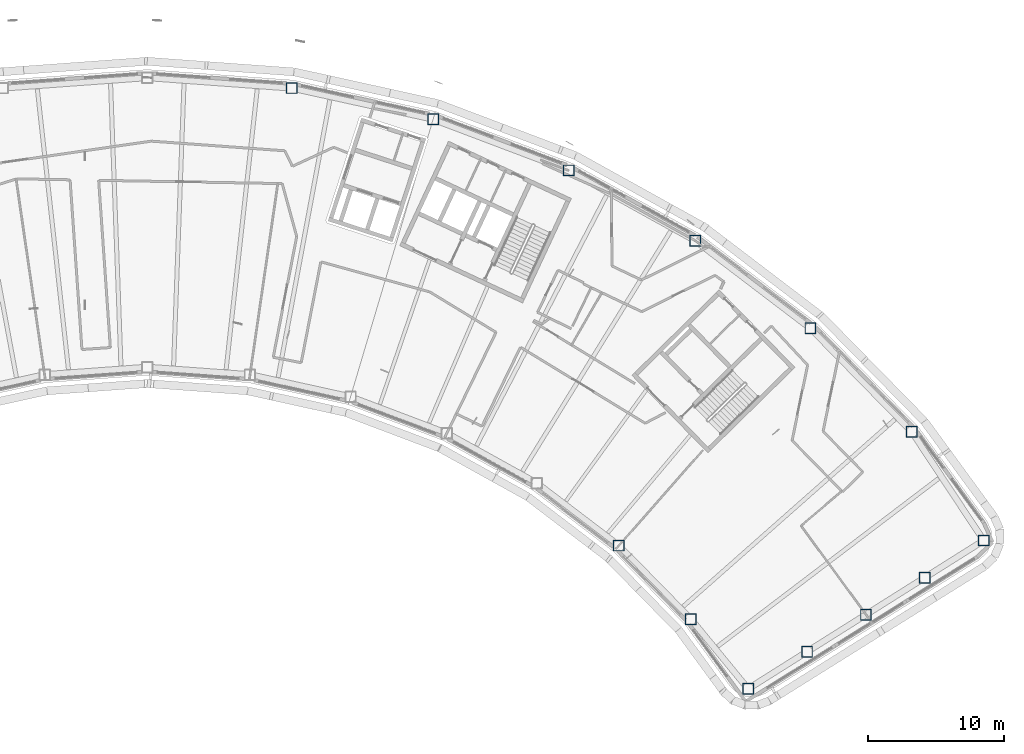
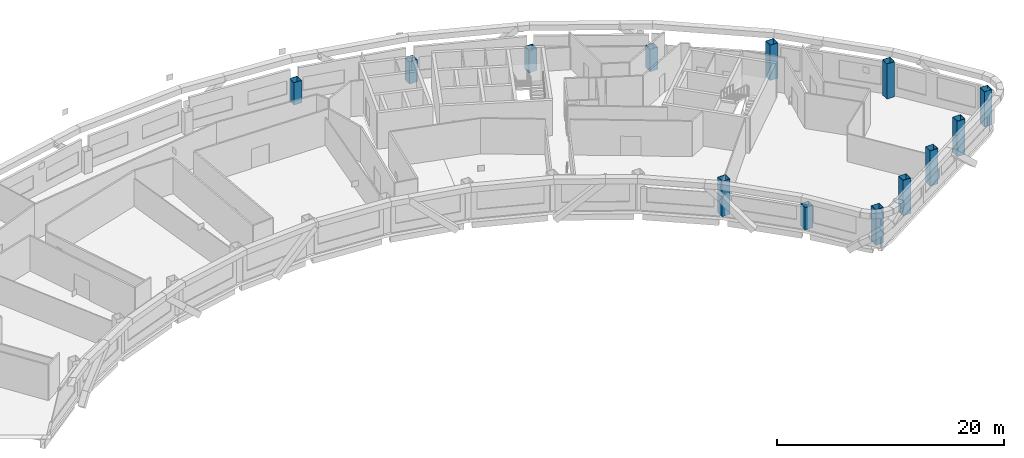
# One storey, part 2 of 21: 13 columns.
"""IFC4 building model written with IfcOpenShell, lengths in metres."""

from ifc_helpers import new_model, si_unit, direction, frame, origin, origin_2d, place, context, subcontext, project, spatial, hollow_rectangle, extrude, material, material_profile, profile_set, type_object, element, save


model = new_model("IFC4")

# Units and contexts
model_context = context("Model", 3, precision=1e-05, world=origin(), true_north=direction((0.0, 1.0)))
body_context = subcontext(model_context, "Body", "Model", "MODEL_VIEW")
ifc_project = project(units=[si_unit("LENGTHUNIT", "METRE"), si_unit("AREAUNIT", "SQUARE_METRE"), si_unit("VOLUMEUNIT", "CUBIC_METRE"), si_unit("PLANEANGLEUNIT", "RADIAN"), si_unit("MASSUNIT", "GRAM", prefix="KILO")], contexts=[model_context])

# Site, building, storey
site_placement = place(None, origin())
site = spatial("IfcSite", under=ifc_project, at=site_placement, CompositionType="ELEMENT")
building_placement = place(site_placement, origin())
building = spatial("IfcBuilding", under=site, at=building_placement, Name="Tuul Gate Civic Tower", CompositionType="ELEMENT")
storey_placement = place(building_placement, frame((0.0, 0.0, 311.0)))
storey = spatial("IfcBuildingStorey", under=building, at=storey_placement, Name="Level 70", CompositionType="ELEMENT", Elevation=311.0)

# Columns
ifc_material = material(Name="Steel S355", Category="steel")
ifc_material_profile = material_profile(ifc_material, hollow_rectangle(XDim=0.800048828125, YDim=0.800048828125, WallThickness=0.031982421875, at=origin_2d()), Name="BOX800x800x32")
ifc_profile_set = profile_set([ifc_material_profile], Name="Steel S355")
column_type = type_object("IfcColumnType", Name="STR-COLUMN-BOX800x800x32", PredefinedType="COLUMN", material=ifc_profile_set)
for number, where, z_axis, x_axis, name in (
    (1, (68.458984375, -24.89697265625, 0.0), (0.0, 0.0, 1.0), (1.0, 0.0, 0.0), "Column"),
    (2, (63.159912109375, -16.884033203125, 0.0), (0.0, 0.0, 1.0), (1.0, 0.0, 0.0), "Column"),
    (3, (55.68603515625, -9.259033203125, 0.0), (0.0, 0.0, 1.0), (1.0, 0.0, 0.0), "Column"),
):
    element("IfcColumn", number, at=place(storey_placement, frame(where, z_axis=z_axis, x_axis=x_axis)), inside=storey, type_object=column_type, Name=name, PredefinedType="COLUMN", context=body_context, shape_type="SweptSolid", body=[
        extrude(hollow_rectangle(XDim=0.800048828125, YDim=0.800048828125, WallThickness=0.031982421875, at=origin_2d()), origin(), (0.0, 0.0, 1.0), 3.800048828125),
    ])
for number, where, z_axis, x_axis, name in (
    (4, (47.19091796875, -2.791015625, 0.0), (0.0, 0.0, 1.0), (1.0, 0.0, 0.0), "Column"),
    (5, (37.85205078125, 2.385009765625, 0.0), (0.0, 0.0, 1.0), (1.0, 0.0, 0.0), "Column"),
    (6, (27.864990234375, 6.162109375, 0.0), (0.0, 0.0, 1.0), (1.0, 0.0, 0.0), "Column"),
    (7, (17.43798828125, 8.4599609375, 0.0), (0.0, 0.0, 1.0), (1.0, 0.0, 0.0), "Column"),
):
    element("IfcColumn", number, at=place(storey_placement, frame(where, z_axis=z_axis, x_axis=x_axis)), inside=storey, type_object=column_type, Name=name, PredefinedType="COLUMN", context=body_context, shape_type="SweptSolid", body=[
        extrude(hollow_rectangle(XDim=0.800048828125, YDim=0.800048828125, WallThickness=0.031982421875, at=origin_2d()), origin(), (0.0, 0.0, 1.0), 2.39990234375),
    ])
column_1_placement = place(storey_placement, frame((41.554931640625, -25.27099609375, 0.0), z_axis=(0.0, 0.0, 1.0), x_axis=(1.0, 0.0, 0.0)))
element("IfcColumn", 8, at=column_1_placement, inside=storey, type_object=column_type, Name="Column", PredefinedType="COLUMN", context=body_context, shape_type="SweptSolid", body=[
    extrude(hollow_rectangle(XDim=0.800048828125, YDim=0.800048828125, WallThickness=0.031982421875, at=origin_2d()), origin(), (0.0, 0.0, 1.0), 3.800048828125),
])
column_2_placement = place(storey_placement, frame((46.868896484375, -30.693115234375, 0.0), z_axis=(0.0, 0.0, 1.0), x_axis=(1.0, 0.0, 0.0)))
element("IfcColumn", 9, at=column_2_placement, inside=storey, type_object=column_type, Name="Column", PredefinedType="COLUMN", context=body_context, shape_type="SweptSolid", body=[
    extrude(hollow_rectangle(XDim=0.800048828125, YDim=0.800048828125, WallThickness=0.031982421875, at=origin_2d()), origin(), (0.0, 0.0, 1.0), 2.39990234375),
])
for number, where, z_axis, x_axis, name in (
    (10, (51.089111328125, -35.8349609375, 0.0), (0.0, 0.0, 1.0), (1.0, 0.0, 0.0), "Column"),
    (11, (55.431884765625, -33.10009765625, 0.0), (0.0, 0.0, 1.0), (1.0, 0.0, 0.0), "Column"),
    (12, (59.77392578125, -30.365966796875, 0.0), (0.0, 0.0, 1.0), (1.0, 0.0, 0.0), "Column"),
    (13, (64.116943359375, -27.631103515625, 0.0), (0.0, 0.0, 1.0), (1.0, 0.0, 0.0), "Column"),
):
    element("IfcColumn", number, at=place(storey_placement, frame(where, z_axis=z_axis, x_axis=x_axis)), inside=storey, type_object=column_type, Name=name, PredefinedType="COLUMN", context=body_context, shape_type="SweptSolid", body=[
        extrude(hollow_rectangle(XDim=0.800048828125, YDim=0.800048828125, WallThickness=0.031982421875, at=origin_2d()), origin(), (0.0, 0.0, 1.0), 3.800048828125),
    ])

save(model, "model.ifc")
